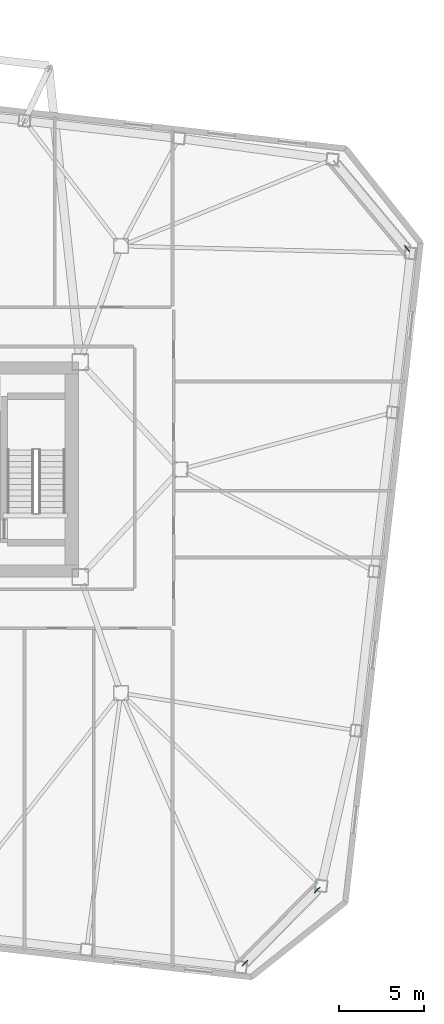
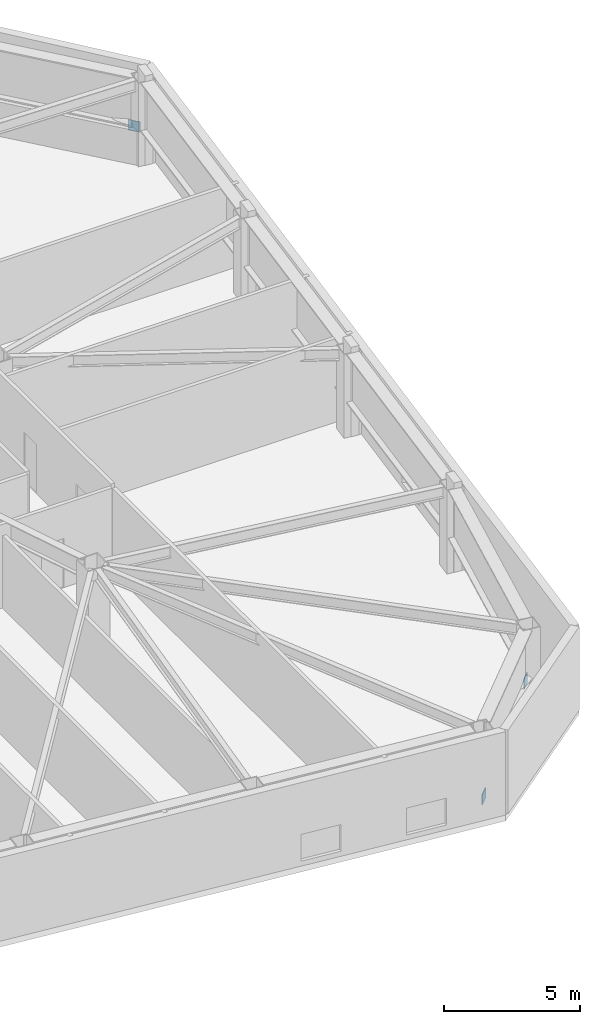
# One storey, part 18 of 21: 3 discrete accessories.
"""IFC4 building model written with IfcOpenShell, lengths in metres."""

from ifc_helpers import new_model, si_unit, direction, frame, origin, origin_2d, place, context, subcontext, project, spatial, rectangle, extrude, material, type_object, element, save


model = new_model("IFC4")

# Units and contexts
model_context = context("Model", 3, precision=1e-05, world=origin(), true_north=direction((0.0, 1.0)))
body_context = subcontext(model_context, "Body", "Model", "MODEL_VIEW")
ifc_project = project(units=[si_unit("LENGTHUNIT", "METRE"), si_unit("AREAUNIT", "SQUARE_METRE"), si_unit("VOLUMEUNIT", "CUBIC_METRE"), si_unit("PLANEANGLEUNIT", "RADIAN"), si_unit("MASSUNIT", "GRAM", prefix="KILO")], contexts=[model_context])

# Site, building, storey
site_placement = place(None, origin())
site = spatial("IfcSite", under=ifc_project, at=site_placement, CompositionType="ELEMENT")
building_placement = place(site_placement, origin())
building = spatial("IfcBuilding", under=site, at=building_placement, Name="Tavrogorsk Clinical Tower", CompositionType="ELEMENT")
storey_placement = place(building_placement, frame((0.0, 0.0, 109.39990234375)))
storey = spatial("IfcBuildingStorey", under=building, at=storey_placement, Name="L24", CompositionType="ELEMENT", Elevation=109.39990234375)

# Discrete accessories
ifc_material = material(Name="Structural steel S440", Category="steel")
discrete_accessory_type = type_object("IfcDiscreteAccessoryType", Name="GussetPlateBracket_25", PredefinedType="BRACKET", material=ifc_material)
for number, where, z_axis, x_axis, name in (
    (1, (31.830810546875, -29.150146484375, 0.132080078125), (0.0, 0.0, 1.0), (0.702898299792, 0.711290362756, 0.0), "L24 Brace Gusset Plate EXOCRN-L24-1-A"),
    (2, (36.087890625, -24.842529296875, 1.197998046875), (0.0, 0.0, 1.0), (0.702898299792, 0.711290362756, 0.0), "L24 Brace Gusset Plate EXOCRN-L24-1-B"),
    (3, (41.395751953125, 13.044921875, 1.201904296875), (0.0, 0.0, 1.0), (0.640243780506, -0.768171791674, 0.0), "L24 Brace Gusset Plate EXOCRN-L24-2-B"),
):
    element("IfcDiscreteAccessory", number, at=place(storey_placement, frame(where, z_axis=z_axis, x_axis=x_axis)), inside=storey, type_object=discrete_accessory_type, Name=name, PredefinedType="BRACKET", context=body_context, shape_type="SweptSolid", body=[
        extrude(rectangle(XDim=0.4599609375, YDim=0.0400390625, at=origin_2d()), origin(), (0.0, 0.0, 1.0), 0.4599609375),
    ])

save(model, "model.ifc")
